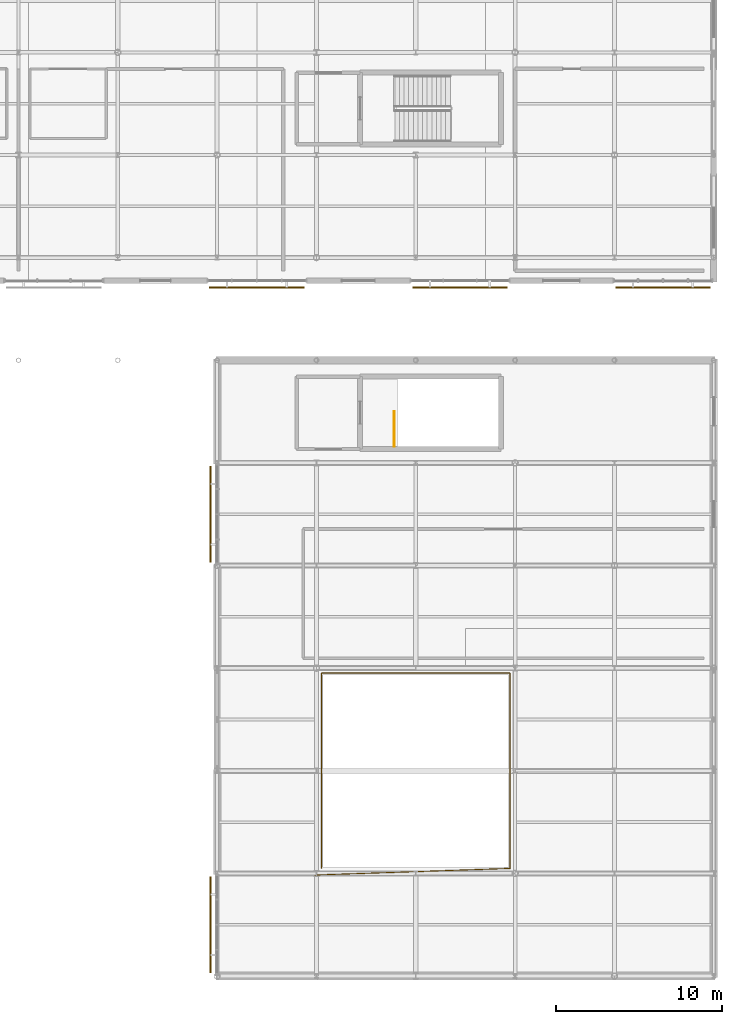
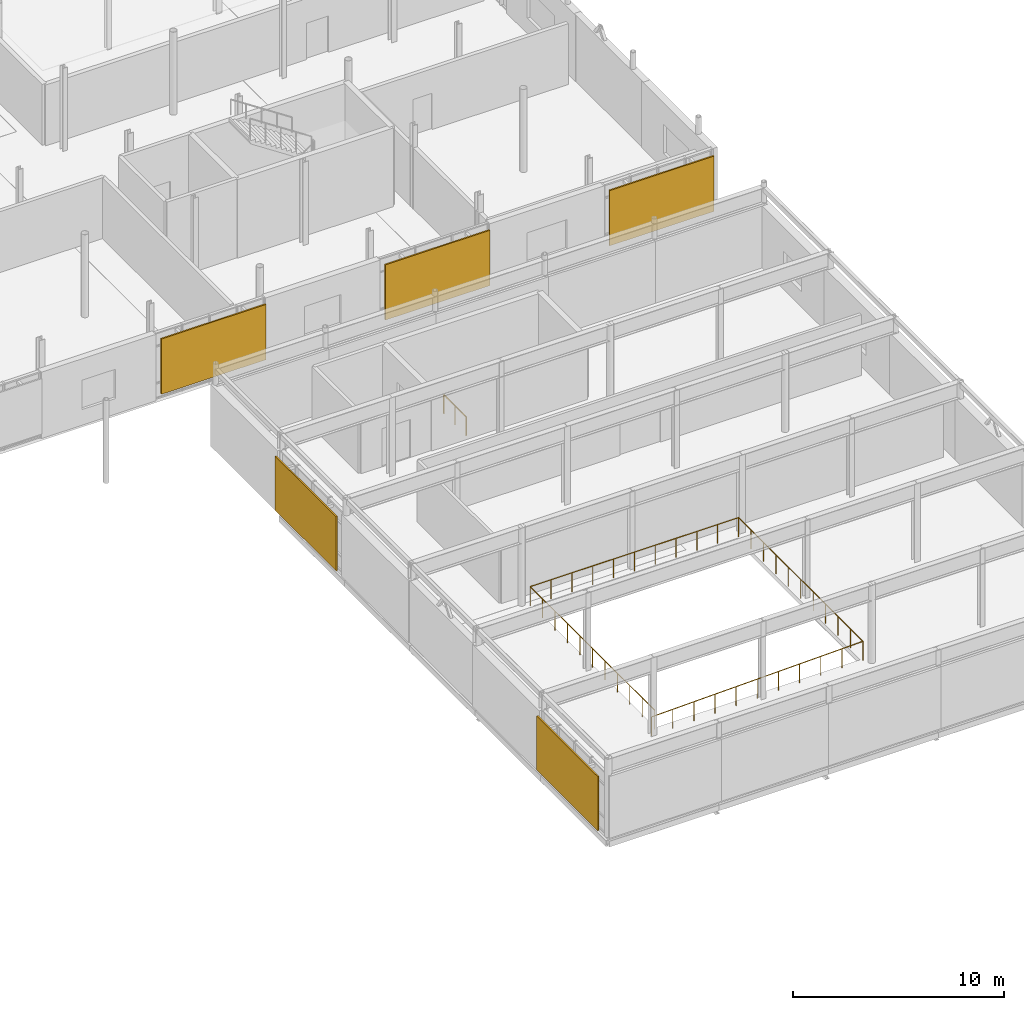
# One storey, part 81 of 84: 5 shading devices, 2 railings.
"""IFC4 building model written with IfcOpenShell, lengths in metres."""

from ifc_helpers import new_model, si_unit, direction, frame, origin, origin_2d, place, context, subcontext, project, spatial, rectangle, circle, extrude, material, layer, layer_set, type_object, element, save


model = new_model("IFC4")

# Units and contexts
model_context = context("Model", 3, precision=1e-05, world=origin(), true_north=direction((0.0, 1.0)))
body_context = subcontext(model_context, "Body", "Model", "MODEL_VIEW")
ifc_project = project(units=[si_unit("LENGTHUNIT", "METRE"), si_unit("AREAUNIT", "SQUARE_METRE"), si_unit("VOLUMEUNIT", "CUBIC_METRE"), si_unit("PLANEANGLEUNIT", "RADIAN"), si_unit("MASSUNIT", "GRAM", prefix="KILO")], contexts=[model_context])

# Site, building, storey
site_placement = place(None, origin())
site = spatial("IfcSite", under=ifc_project, at=site_placement, CompositionType="ELEMENT")
building_placement = place(site_placement, origin())
building = spatial("IfcBuilding", under=site, at=building_placement, Name="Mirzam Square Science Centre", CompositionType="ELEMENT")
storey_placement = place(building_placement, frame((0.0, 0.0, 10.800048828125)))
storey = spatial("IfcBuildingStorey", under=building, at=storey_placement, Name="L02", CompositionType="ELEMENT", Elevation=10.800048828125)

# Railings
ifc_material_1 = material(Name="Bronze-Anodised Architectural Balustrade", Category="aluminium")
railing_type = type_object("IfcRailingType", Name="RL-INT-GUARD-1100", PredefinedType="GUARDRAIL", material=ifc_material_1)
railing_1_placement = place(storey_placement, frame((142.699951171875, 32.0, 0.0)))
element("IfcRailing", 1, at=railing_1_placement, inside=storey, type_object=railing_type, Name="L02 ST-06 top well guard 1", PredefinedType="GUARDRAIL", context=body_context, shape_type="SweptSolid", body=[
    extrude(circle(Radius=0.02392578125, at=origin_2d()), frame((0.0, 0.0, 1.076171875), z_axis=(0.0, 1.0, 0.0), x_axis=(-1.0, 0.0, 0.0)), (0.0, 0.0, 1.0), 2.10009765625),
    extrude(circle(Radius=0.02099609375, at=origin_2d()), origin(), (0.0, 0.0, 1.0), 1.052001953125),
    extrude(circle(Radius=0.02099609375, at=origin_2d()), frame((0.0, 1.050048828125, 0.0)), (0.0, 0.0, 1.0), 1.052001953125),
    extrude(circle(Radius=0.02099609375, at=origin_2d()), frame((0.0, 2.10009765625, 0.0)), (0.0, 0.0, 1.0), 1.052001953125),
])
railing_2_placement = place(storey_placement, frame((137.89990234375, 6.10009765625, 0.0)))
element("IfcRailing", 2, at=railing_2_placement, inside=storey, type_object=railing_type, Name="L02 th-stage-void edge guard", PredefinedType="GUARDRAIL", context=body_context, shape_type="SweptSolid", body=[
    extrude(circle(Radius=0.02392578125, at=origin_2d()), frame((0.0, 0.0, 1.09619140625), z_axis=(0.999426231908, 0.033870443959, 0.0), x_axis=(-0.033870443959, 0.999426231908, 0.0)), (0.0, 0.0, 1.0), 11.806884765625),
    extrude(circle(Radius=0.02392578125, at=origin_2d()), frame((11.800048828125, 0.39990234375, 1.09619140625), z_axis=(0.0, 1.0, 0.0), x_axis=(-1.0, 0.0, 0.0)), (0.0, 0.0, 1.0), 11.800048828125),
    extrude(circle(Radius=0.02392578125, at=origin_2d()), frame((11.800048828125, 12.199951171875, 1.09619140625), z_axis=(-1.0, 0.0, 0.0), x_axis=(0.0, -1.0, 0.0)), (0.0, 0.0, 1.0), 11.39990234375),
    extrude(circle(Radius=0.02392578125, at=origin_2d()), frame((0.400146484375, 12.199951171875, 1.09619140625), z_axis=(0.0, -1.0, 0.0), x_axis=(1.0, 0.0, 0.0)), (0.0, 0.0, 1.0), 11.800048828125),
    extrude(circle(Radius=0.02099609375, at=origin_2d()), origin(), (0.0, 0.0, 1.0), 1.072021484375),
    extrude(circle(Radius=0.02099609375, at=origin_2d()), frame((1.179931640625, 0.0400390625, 0.0)), (0.0, 0.0, 1.0), 1.072021484375),
    extrude(circle(Radius=0.02099609375, at=origin_2d()), frame((2.360107421875, 0.080078125, 0.0)), (0.0, 0.0, 1.0), 1.072021484375),
    extrude(circle(Radius=0.02099609375, at=origin_2d()), frame((3.5400390625, 0.119873046875, 0.0)), (0.0, 0.0, 1.0), 1.072021484375),
    extrude(circle(Radius=0.02099609375, at=origin_2d()), frame((4.719970703125, 0.159912109375, 0.0)), (0.0, 0.0, 1.0), 1.072021484375),
    extrude(circle(Radius=0.02099609375, at=origin_2d()), frame((5.89990234375, 0.199951171875, 0.0)), (0.0, 0.0, 1.0), 1.072021484375),
    extrude(circle(Radius=0.02099609375, at=origin_2d()), frame((7.080078125, 0.239990234375, 0.0)), (0.0, 0.0, 1.0), 1.072021484375),
    extrude(circle(Radius=0.02099609375, at=origin_2d()), frame((8.260009765625, 0.280029296875, 0.0)), (0.0, 0.0, 1.0), 1.072021484375),
    extrude(circle(Radius=0.02099609375, at=origin_2d()), frame((9.43994140625, 0.31982421875, 0.0)), (0.0, 0.0, 1.0), 1.072021484375),
    extrude(circle(Radius=0.02099609375, at=origin_2d()), frame((10.6201171875, 0.35986328125, 0.0)), (0.0, 0.0, 1.0), 1.072021484375),
    extrude(circle(Radius=0.02099609375, at=origin_2d()), frame((11.800048828125, 0.39990234375, 0.0)), (0.0, 0.0, 1.0), 1.072021484375),
    extrude(circle(Radius=0.02099609375, at=origin_2d()), frame((11.800048828125, 1.579833984375, 0.0)), (0.0, 0.0, 1.0), 1.072021484375),
    extrude(circle(Radius=0.02099609375, at=origin_2d()), frame((11.800048828125, 2.760009765625, 0.0)), (0.0, 0.0, 1.0), 1.072021484375),
    extrude(circle(Radius=0.02099609375, at=origin_2d()), frame((11.800048828125, 3.93994140625, 0.0)), (0.0, 0.0, 1.0), 1.072021484375),
    extrude(circle(Radius=0.02099609375, at=origin_2d()), frame((11.800048828125, 5.119873046875, 0.0)), (0.0, 0.0, 1.0), 1.072021484375),
    extrude(circle(Radius=0.02099609375, at=origin_2d()), frame((11.800048828125, 6.2998046875, 0.0)), (0.0, 0.0, 1.0), 1.072021484375),
    extrude(circle(Radius=0.02099609375, at=origin_2d()), frame((11.800048828125, 7.47998046875, 0.0)), (0.0, 0.0, 1.0), 1.072021484375),
    extrude(circle(Radius=0.02099609375, at=origin_2d()), frame((11.800048828125, 8.659912109375, 0.0)), (0.0, 0.0, 1.0), 1.072021484375),
    extrude(circle(Radius=0.02099609375, at=origin_2d()), frame((11.800048828125, 9.83984375, 0.0)), (0.0, 0.0, 1.0), 1.072021484375),
    extrude(circle(Radius=0.02099609375, at=origin_2d()), frame((11.800048828125, 11.02001953125, 0.0)), (0.0, 0.0, 1.0), 1.072021484375),
    extrude(circle(Radius=0.02099609375, at=origin_2d()), frame((11.800048828125, 12.199951171875, 0.0)), (0.0, 0.0, 1.0), 1.072021484375),
    extrude(circle(Radius=0.02099609375, at=origin_2d()), frame((10.66015625, 12.199951171875, 0.0)), (0.0, 0.0, 1.0), 1.072021484375),
    extrude(circle(Radius=0.02099609375, at=origin_2d()), frame((9.52001953125, 12.199951171875, 0.0)), (0.0, 0.0, 1.0), 1.072021484375),
    extrude(circle(Radius=0.02099609375, at=origin_2d()), frame((8.380126953125, 12.199951171875, 0.0)), (0.0, 0.0, 1.0), 1.072021484375),
    extrude(circle(Radius=0.02099609375, at=origin_2d()), frame((7.239990234375, 12.199951171875, 0.0)), (0.0, 0.0, 1.0), 1.072021484375),
    extrude(circle(Radius=0.02099609375, at=origin_2d()), frame((6.10009765625, 12.199951171875, 0.0)), (0.0, 0.0, 1.0), 1.072021484375),
    extrude(circle(Radius=0.02099609375, at=origin_2d()), frame((4.960205078125, 12.199951171875, 0.0)), (0.0, 0.0, 1.0), 1.072021484375),
    extrude(circle(Radius=0.02099609375, at=origin_2d()), frame((3.820068359375, 12.199951171875, 0.0)), (0.0, 0.0, 1.0), 1.072021484375),
    extrude(circle(Radius=0.02099609375, at=origin_2d()), frame((2.68017578125, 12.199951171875, 0.0)), (0.0, 0.0, 1.0), 1.072021484375),
    extrude(circle(Radius=0.02099609375, at=origin_2d()), frame((1.5400390625, 12.199951171875, 0.0)), (0.0, 0.0, 1.0), 1.072021484375),
    extrude(circle(Radius=0.02099609375, at=origin_2d()), frame((0.400146484375, 12.199951171875, 0.0)), (0.0, 0.0, 1.0), 1.072021484375),
    extrude(circle(Radius=0.02099609375, at=origin_2d()), frame((0.400146484375, 11.02001953125, 0.0)), (0.0, 0.0, 1.0), 1.072021484375),
    extrude(circle(Radius=0.02099609375, at=origin_2d()), frame((0.400146484375, 9.83984375, 0.0)), (0.0, 0.0, 1.0), 1.072021484375),
    extrude(circle(Radius=0.02099609375, at=origin_2d()), frame((0.400146484375, 8.659912109375, 0.0)), (0.0, 0.0, 1.0), 1.072021484375),
    extrude(circle(Radius=0.02099609375, at=origin_2d()), frame((0.400146484375, 7.47998046875, 0.0)), (0.0, 0.0, 1.0), 1.072021484375),
    extrude(circle(Radius=0.02099609375, at=origin_2d()), frame((0.400146484375, 6.2998046875, 0.0)), (0.0, 0.0, 1.0), 1.072021484375),
    extrude(circle(Radius=0.02099609375, at=origin_2d()), frame((0.400146484375, 5.119873046875, 0.0)), (0.0, 0.0, 1.0), 1.072021484375),
    extrude(circle(Radius=0.02099609375, at=origin_2d()), frame((0.400146484375, 3.93994140625, 0.0)), (0.0, 0.0, 1.0), 1.072021484375),
    extrude(circle(Radius=0.02099609375, at=origin_2d()), frame((0.400146484375, 2.760009765625, 0.0)), (0.0, 0.0, 1.0), 1.072021484375),
    extrude(circle(Radius=0.02099609375, at=origin_2d()), frame((0.400146484375, 1.579833984375, 0.0)), (0.0, 0.0, 1.0), 1.072021484375),
    extrude(circle(Radius=0.02099609375, at=origin_2d()), frame((0.400146484375, 0.39990234375, 0.0)), (0.0, 0.0, 1.0), 1.072021484375),
])

# Shading devices
ifc_material_2 = material(Name="Perforated Bronze-Anodised Aluminium Brise-Soleil", Category="aluminium")
ifc_layer = layer(ifc_material_2, 0.080078125)
ifc_layer_set = layer_set([ifc_layer], Name="SHD-BRISE-BRONZE")
shading_device_type = type_object("IfcShadingDeviceType", Name="SHD-BRISE-BRONZE", PredefinedType="JALOUSIE", material=ifc_layer_set)
for number, where, z_axis, x_axis, name in (
    (3, (131.590087890625, 3.10009765625, 0.300048828125), (0.0, 0.0, 1.0), (0.0, -1.0, 0.0), "L02 bronze brise-soleil screen 52"),
    (4, (131.590087890625, 27.89990234375, 0.300048828125), (0.0, 0.0, 1.0), (0.0, -1.0, 0.0), "L02 bronze brise-soleil screen 53"),
):
    element("IfcShadingDevice", number, at=place(storey_placement, frame(where, z_axis=z_axis, x_axis=x_axis)), inside=storey, type_object=shading_device_type, Name=name, PredefinedType="JALOUSIE", context=body_context, shape_type="SweptSolid", body=[
        extrude(rectangle(XDim=5.7900390625, YDim=0.080078125, at=origin_2d()), origin(), (0.0, 0.0, 1.0), 3.1298828125),
    ])
for number, where, z_axis, x_axis, name in (
    (5, (134.39990234375, 41.590087890625, 0.48974609375), (0.0, 0.0, 1.0), (1.0, 0.0, 0.0), "L02 bronze brise-soleil screen 92"),
    (6, (146.666748046875, 41.590087890625, 0.48974609375), (0.0, 0.0, 1.0), (1.0, 0.0, 0.0), "L02 bronze brise-soleil screen 93"),
    (7, (158.933349609375, 41.590087890625, 0.48974609375), (0.0, 0.0, 1.0), (1.0, 0.0, 0.0), "L02 bronze brise-soleil screen 94"),
):
    element("IfcShadingDevice", number, at=place(storey_placement, frame(where, z_axis=z_axis, x_axis=x_axis)), inside=storey, type_object=shading_device_type, Name=name, PredefinedType="JALOUSIE", context=body_context, shape_type="SweptSolid", body=[
        extrude(rectangle(XDim=5.723388671875, YDim=0.080078125, at=origin_2d()), origin(), (0.0, 0.0, 1.0), 3.199951171875),
    ])

save(model, "model.ifc")
